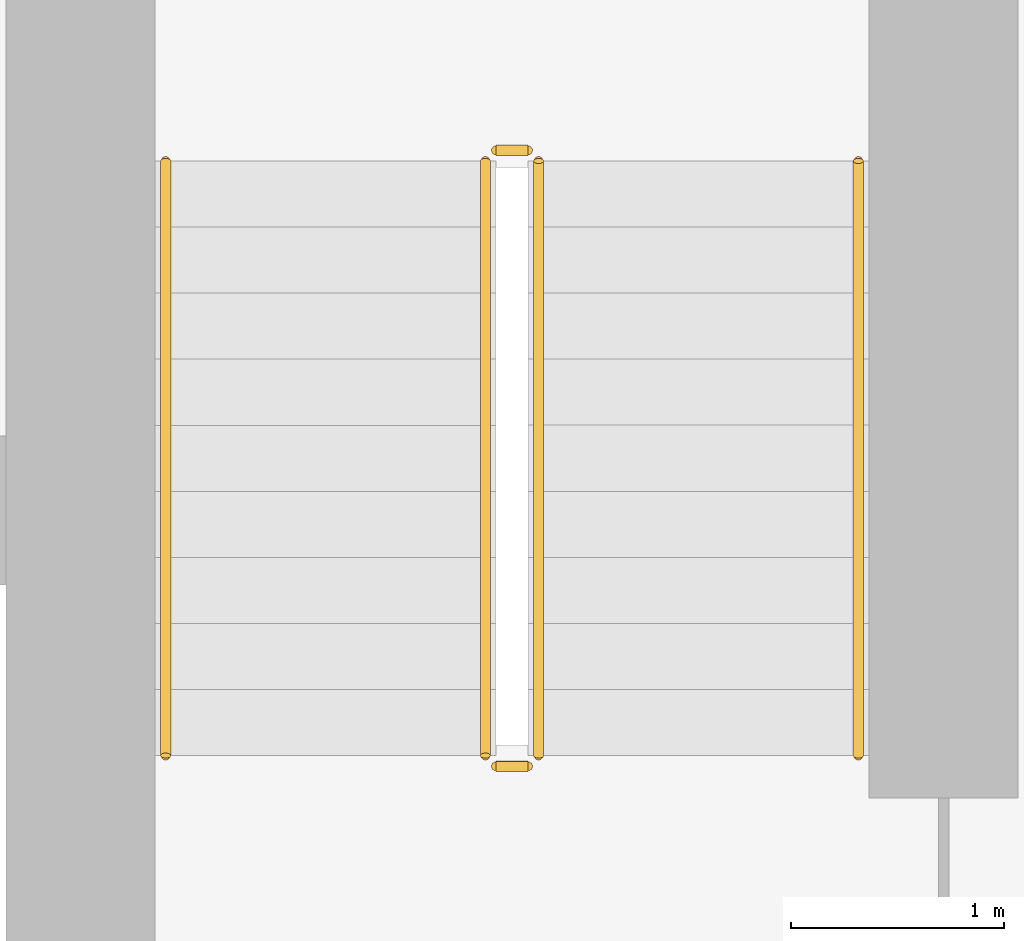
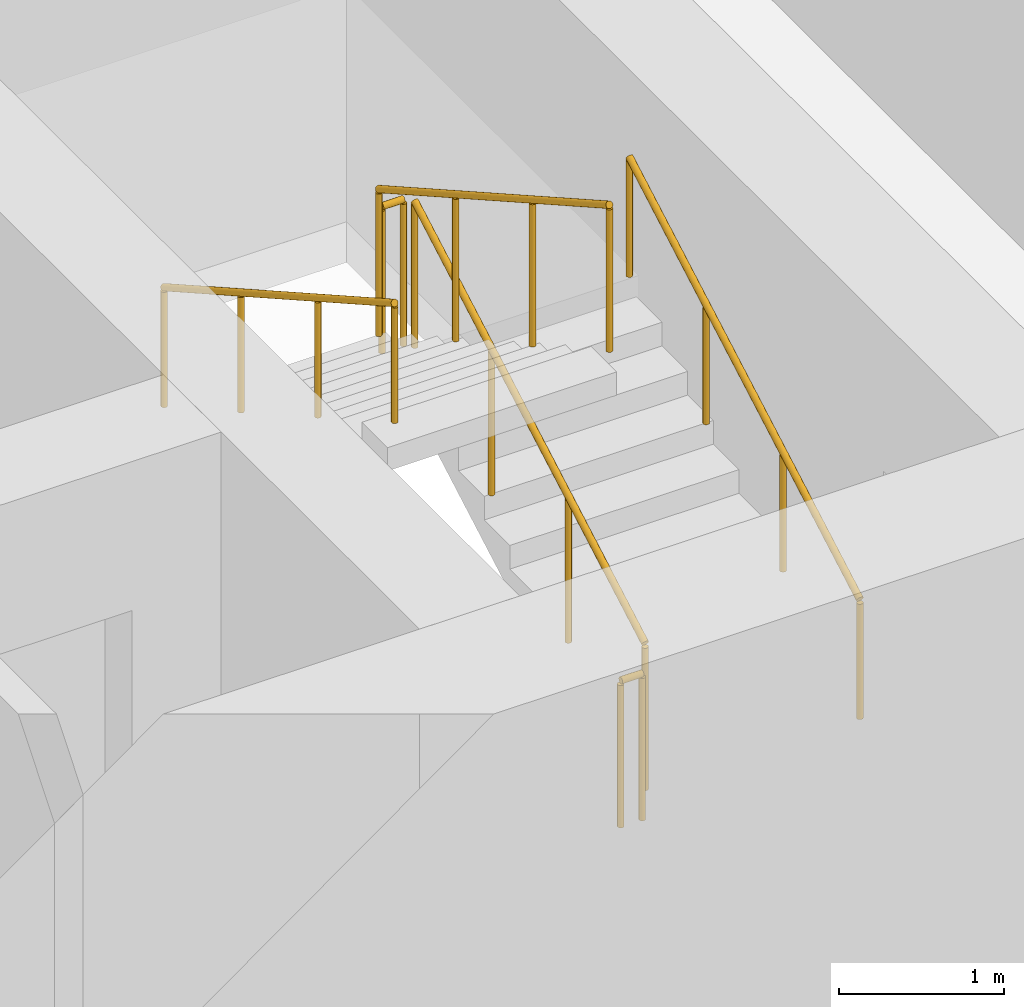
# One storey, part 19 of 21: 6 railings.
"""IFC4 building model written with IfcOpenShell, lengths in metres."""

from ifc_helpers import new_model, si_unit, direction, frame, origin, origin_2d, place, context, subcontext, project, spatial, circle, extrude, material, type_object, element, save


model = new_model("IFC4")

# Units and contexts
model_context = context("Model", 3, precision=1e-05, world=origin(), true_north=direction((0.0, 1.0)))
body_context = subcontext(model_context, "Body", "Model", "MODEL_VIEW")
ifc_project = project(units=[si_unit("LENGTHUNIT", "METRE"), si_unit("AREAUNIT", "SQUARE_METRE"), si_unit("VOLUMEUNIT", "CUBIC_METRE"), si_unit("PLANEANGLEUNIT", "RADIAN"), si_unit("MASSUNIT", "GRAM", prefix="KILO")], contexts=[model_context])

# Site, building, storey
site_placement = place(None, origin())
site = spatial("IfcSite", under=ifc_project, at=site_placement, CompositionType="ELEMENT")
building_placement = place(site_placement, origin())
building = spatial("IfcBuilding", under=site, at=building_placement, Name="Madar Terraces", CompositionType="ELEMENT")
storey_placement = place(building_placement, frame((0.0, 0.0, 32.89990234375)))
storey = spatial("IfcBuildingStorey", under=building, at=storey_placement, Name="L07", CompositionType="ELEMENT", Elevation=32.89990234375)

# Railings
ifc_material_1 = material(Name="Stainless steel railing", Category="steel")
railing_type_1 = type_object("IfcRailingType", Name="Stair guard 1100", PredefinedType="GUARDRAIL", material=ifc_material_1)
railing_1_placement = place(storey_placement, frame((41.449951171875, 17.60009765625, 0.175048828125)))
element("IfcRailing", 1, at=railing_1_placement, inside=storey, type_object=railing_type_1, Name="L07 ST3 stair guard 1", PredefinedType="GUARDRAIL", context=body_context, shape_type="SweptSolid", body=[
    extrude(circle(Radius=0.02392578125, at=origin_2d()), frame((0.0, 0.0, 1.076171875), z_axis=(0.0, 0.870815363784, 0.491610213684), x_axis=(-1.0, 0.0, 0.0)), (0.0, 0.0, 1.0), 3.20361328125),
    extrude(circle(Radius=0.02099609375, at=origin_2d()), origin(), (0.0, 0.0, 1.0), 1.052001953125),
    extrude(circle(Radius=0.02099609375, at=origin_2d()), frame((0.0, 0.929931640625, 0.52490234375)), (0.0, 0.0, 1.0), 1.052001953125),
    extrude(circle(Radius=0.02099609375, at=origin_2d()), frame((0.0, 1.85986328125, 1.050048828125)), (0.0, 0.0, 1.0), 1.052001953125),
    extrude(circle(Radius=0.02099609375, at=origin_2d()), frame((0.0, 2.789794921875, 1.574951171875)), (0.0, 0.0, 1.0), 1.052001953125),
])
railing_2_placement = place(storey_placement, frame((41.39990234375, 20.43994140625, 1.75)))
element("IfcRailing", 2, at=railing_2_placement, inside=storey, type_object=railing_type_1, Name="L07 ST3 stair guard 2", PredefinedType="GUARDRAIL", context=body_context, shape_type="SweptSolid", body=[
    extrude(circle(Radius=0.02392578125, at=origin_2d()), frame((0.0, 0.0, 1.076171875), z_axis=(-1.0, 0.0, 0.0), x_axis=(0.0, -1.0, 0.0)), (0.0, 0.0, 1.0), 0.14990234375),
    extrude(circle(Radius=0.02099609375, at=origin_2d()), origin(), (0.0, 0.0, 1.0), 1.052001953125),
    extrude(circle(Radius=0.02099609375, at=origin_2d()), frame((-0.14990234375, 0.0, 0.0)), (0.0, 0.0, 1.0), 1.052001953125),
])
railing_3_placement = place(storey_placement, frame((41.199951171875, 20.389892578125, 1.925048828125)))
element("IfcRailing", 3, at=railing_3_placement, inside=storey, type_object=railing_type_1, Name="L07 ST3 stair guard 3", PredefinedType="GUARDRAIL", context=body_context, shape_type="SweptSolid", body=[
    extrude(circle(Radius=0.02392578125, at=origin_2d()), frame((0.0, 0.0, 1.076171875), z_axis=(0.0, -0.870815363784, 0.491610213684), x_axis=(1.0, 0.0, 0.0)), (0.0, 0.0, 1.0), 3.20361328125),
    extrude(circle(Radius=0.02099609375, at=origin_2d()), origin(), (0.0, 0.0, 1.0), 1.052001953125),
    extrude(circle(Radius=0.02099609375, at=origin_2d()), frame((0.0, -0.929931640625, 0.52490234375)), (0.0, 0.0, 1.0), 1.052001953125),
    extrude(circle(Radius=0.02099609375, at=origin_2d()), frame((0.0, -1.85986328125, 1.050048828125)), (0.0, 0.0, 1.0), 1.052001953125),
    extrude(circle(Radius=0.02099609375, at=origin_2d()), frame((0.0, -2.789794921875, 1.574951171875)), (0.0, 0.0, 1.0), 1.052001953125),
])
railing_4_placement = place(storey_placement, frame((41.39990234375, 17.550048828125, 0.0)))
element("IfcRailing", 4, at=railing_4_placement, inside=storey, type_object=railing_type_1, Name="L07 ST3 stair guard 4", PredefinedType="GUARDRAIL", context=body_context, shape_type="SweptSolid", body=[
    extrude(circle(Radius=0.02392578125, at=origin_2d()), frame((0.0, 0.0, 1.076171875), z_axis=(-1.0, 0.0, 0.0), x_axis=(0.0, -1.0, 0.0)), (0.0, 0.0, 1.0), 0.14990234375),
    extrude(circle(Radius=0.02099609375, at=origin_2d()), origin(), (0.0, 0.0, 1.0), 1.052001953125),
    extrude(circle(Radius=0.02099609375, at=origin_2d()), frame((-0.14990234375, 0.0, 0.0)), (0.0, 0.0, 1.0), 1.052001953125),
])
ifc_material_2 = material(Name="Stainless steel railing", Category="steel")
railing_type_2 = type_object("IfcRailingType", Name="Stair handrail 900", PredefinedType="HANDRAIL", material=ifc_material_2)
railing_5_placement = place(storey_placement, frame((42.949951171875, 17.60009765625, 0.175048828125)))
element("IfcRailing", 5, at=railing_5_placement, inside=storey, type_object=railing_type_2, Name="L07 ST3 stair handrail 1", PredefinedType="HANDRAIL", context=body_context, shape_type="SweptSolid", body=[
    extrude(circle(Radius=0.02392578125, at=origin_2d()), frame((0.0, 0.0, 0.8759765625), z_axis=(0.0, 0.870815363784, 0.491610213684), x_axis=(-1.0, 0.0, 0.0)), (0.0, 0.0, 1.0), 3.20361328125),
    extrude(circle(Radius=0.02099609375, at=origin_2d()), origin(), (0.0, 0.0, 1.0), 0.851806640625),
    extrude(circle(Radius=0.02099609375, at=origin_2d()), frame((0.0, 0.929931640625, 0.52490234375)), (0.0, 0.0, 1.0), 0.851806640625),
    extrude(circle(Radius=0.02099609375, at=origin_2d()), frame((0.0, 1.85986328125, 1.050048828125)), (0.0, 0.0, 1.0), 0.851806640625),
    extrude(circle(Radius=0.02099609375, at=origin_2d()), frame((0.0, 2.789794921875, 1.574951171875)), (0.0, 0.0, 1.0), 0.851806640625),
])
railing_6_placement = place(storey_placement, frame((39.699951171875, 20.389892578125, 1.925048828125)))
element("IfcRailing", 6, at=railing_6_placement, inside=storey, type_object=railing_type_2, Name="L07 ST3 stair handrail 2", PredefinedType="HANDRAIL", context=body_context, shape_type="SweptSolid", body=[
    extrude(circle(Radius=0.02392578125, at=origin_2d()), frame((0.0, 0.0, 0.8759765625), z_axis=(0.0, -0.870815363784, 0.491610213684), x_axis=(1.0, 0.0, 0.0)), (0.0, 0.0, 1.0), 3.20361328125),
    extrude(circle(Radius=0.02099609375, at=origin_2d()), origin(), (0.0, 0.0, 1.0), 0.851806640625),
    extrude(circle(Radius=0.02099609375, at=origin_2d()), frame((0.0, -0.929931640625, 0.52490234375)), (0.0, 0.0, 1.0), 0.851806640625),
    extrude(circle(Radius=0.02099609375, at=origin_2d()), frame((0.0, -1.85986328125, 1.050048828125)), (0.0, 0.0, 1.0), 0.851806640625),
    extrude(circle(Radius=0.02099609375, at=origin_2d()), frame((0.0, -2.789794921875, 1.574951171875)), (0.0, 0.0, 1.0), 0.851806640625),
])

save(model, "model.ifc")
